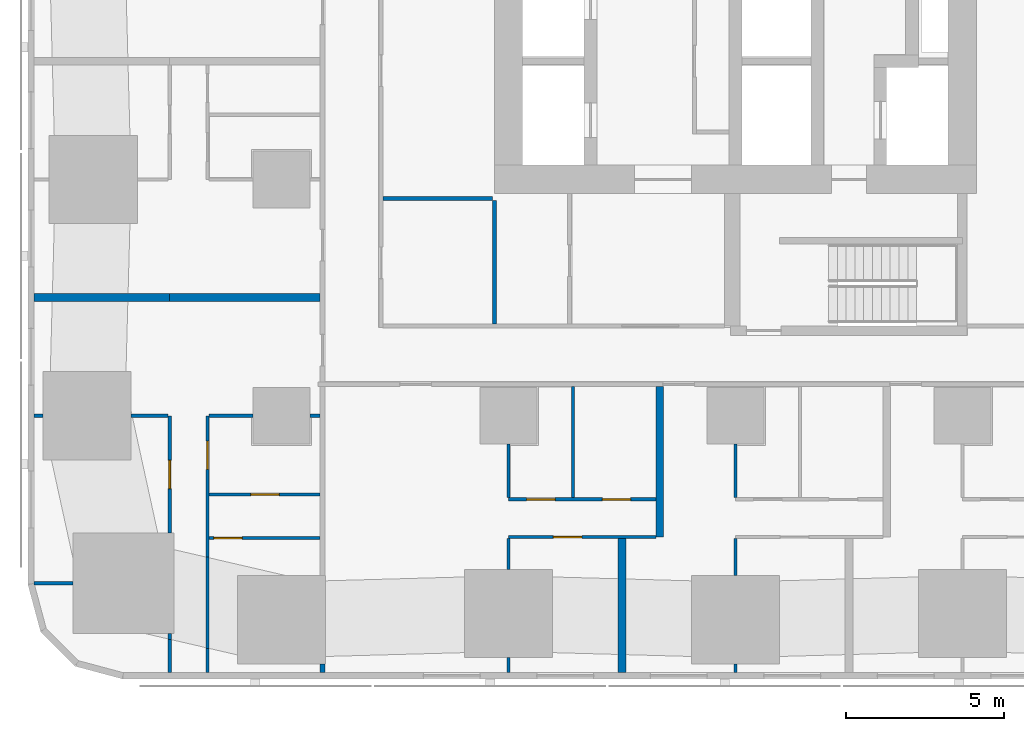
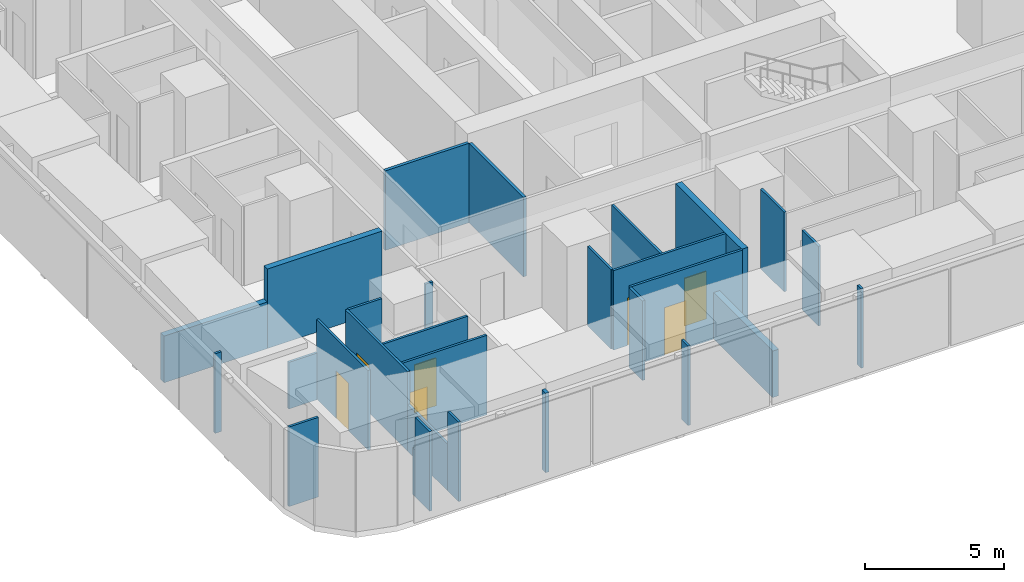
# One storey, part 2 of 15: 29 walls, 7 doors, 7 openings.
"""IFC4 building model written with IfcOpenShell, lengths in metres."""

from ifc_helpers import new_model, si_unit, direction, frame, frame_2d, origin, place, context, subcontext, project, spatial, rectangle, extrude, material, layer, layer_set, type_object, element, fill, save


model = new_model("IFC4")

# Units and contexts
model_context = context("Model", 3, precision=1e-05, world=origin(), true_north=direction((0.0, 1.0)))
body_context = subcontext(model_context, "Body", "Model", "MODEL_VIEW")
ifc_project = project(units=[si_unit("LENGTHUNIT", "METRE"), si_unit("AREAUNIT", "SQUARE_METRE"), si_unit("VOLUMEUNIT", "CUBIC_METRE"), si_unit("PLANEANGLEUNIT", "RADIAN"), si_unit("MASSUNIT", "GRAM", prefix="KILO")], contexts=[model_context])

# Site, building, storey
site_placement = place(None, origin())
site = spatial("IfcSite", under=ifc_project, at=site_placement, CompositionType="ELEMENT")
building_placement = place(site_placement, origin())
building = spatial("IfcBuilding", under=site, at=building_placement, Name="Sheger Commons Tower", CompositionType="ELEMENT")
storey_placement = place(building_placement, frame((0.0, 0.0, 65.0)))
storey = spatial("IfcBuildingStorey", under=building, at=storey_placement, Name="L16", CompositionType="ELEMENT", Elevation=65.0)

# Walls
ifc_material_1 = material(Name="Hollow concrete block masonry, skimmed both sides", Category="masonry")
ifc_layer_1 = layer(ifc_material_1, 0.14990234375)
ifc_layer_set_1 = layer_set([ifc_layer_1], Name="CORRIDOR WALL 150")
wall_type_1 = type_object("IfcWallType", Name="CORRIDOR WALL 150", PredefinedType="SOLIDWALL", material=ifc_layer_set_1)
wall_1_placement = place(storey_placement, frame((8.5, -0.64990234375, 0.0), z_axis=(0.0, 0.0, 1.0), x_axis=(0.0, 1.0, 0.0)))
element("IfcWall", 1, at=wall_1_placement, inside=storey, type_object=wall_type_1, Name="Corridor wall L16", PredefinedType="SOLIDWALL", context=body_context, shape_type="SweptSolid", body=[
    extrude(rectangle(XDim=0.27392578125, YDim=0.14990234375, at=frame_2d((0.136962890625, 0.0))), origin(), (0.0, 0.0, 1.0), 3.5),
])
ifc_material_2 = material(Name="Dense concrete block masonry, plastered both sides (separating wall between flats)", Category="masonry")
ifc_layer_2 = layer(ifc_material_2, 0.25)
ifc_layer_set_2 = layer_set([ifc_layer_2], Name="DEMISING WALL 250")
wall_type_2 = type_object("IfcWallType", Name="DEMISING WALL 250", PredefinedType="SOLIDWALL", material=ifc_layer_set_2)
wall_2_placement = place(storey_placement, frame((-0.64990234375, 11.25, 0.0), z_axis=(0.0, 0.0, 1.0), x_axis=(1.0, 0.0, 0.0)))
element("IfcWall", 2, at=wall_2_placement, inside=storey, type_object=wall_type_2, Name="Demising wall L16", PredefinedType="SOLIDWALL", context=body_context, shape_type="SweptSolid", body=[
    extrude(rectangle(XDim=4.2998046875, YDim=0.25, at=frame_2d((2.14990234375, 0.0))), origin(), (0.0, 0.0, 1.0), 2.050048828125),
])
wall_3_placement = place(storey_placement, frame((3.64990234375, 11.25, 0.0), z_axis=(0.0, 0.0, 1.0), x_axis=(1.0, 0.0, 0.0)))
element("IfcWall", 3, at=wall_3_placement, inside=storey, type_object=wall_type_2, Name="Demising wall L16", PredefinedType="SOLIDWALL", context=body_context, shape_type="SweptSolid", body=[
    extrude(rectangle(XDim=4.775146484375, YDim=0.25, at=frame_2d((2.3876953125, 0.0))), origin(), (0.0, 0.0, 1.0), 3.5),
])
wall_4_placement = place(storey_placement, frame((18.0, -0.64990234375, 0.0), z_axis=(0.0, 0.0, 1.0), x_axis=(0.0, 1.0, 0.0)))
element("IfcWall", 4, at=wall_4_placement, inside=storey, type_object=wall_type_2, Name="Demising wall L16", PredefinedType="SOLIDWALL", context=body_context, shape_type="SweptSolid", body=[
    extrude(rectangle(XDim=4.25, YDim=0.25, at=frame_2d((2.125, 0.0))), origin(), (0.0, 0.0, 1.0), 2.050048828125),
])
wall_5_placement = place(storey_placement, frame((19.198974609375, 3.64990234375, 0.0), z_axis=(0.0, 0.0, 1.0), x_axis=(0.0, 1.0, 0.0)))
element("IfcWall", 5, at=wall_5_placement, inside=storey, type_object=wall_type_2, Name="Demising wall L16", PredefinedType="SOLIDWALL", context=body_context, shape_type="SweptSolid", body=[
    extrude(rectangle(XDim=4.775146484375, YDim=0.25, at=frame_2d((2.3876953125, 0.0))), origin(), (0.0, 0.0, 1.0), 3.5),
])
ifc_material_3 = material(Name="Gypsum board on steel studs", Category="steel")
ifc_layer_3 = layer(ifc_material_3, 0.10009765625)
ifc_layer_set_3 = layer_set([ifc_layer_3], Name="PARTITION 100")
wall_type_3 = type_object("IfcWallType", Name="PARTITION 100", PredefinedType="PARTITIONING", material=ifc_layer_set_3)
wall_6_placement = place(storey_placement, frame((3.64990234375, -0.64990234375, 0.0), z_axis=(0.0, 0.0, 1.0), x_axis=(0.0, 1.0, 0.0)))
element("IfcWall", 6, at=wall_6_placement, inside=storey, type_object=wall_type_3, Name="Partition L16", PredefinedType="PARTITIONING", context=body_context, shape_type="SweptSolid", body=[
    extrude(rectangle(XDim=1.0478515625, YDim=0.10009765625, at=frame_2d((0.52392578125, 0.0))), origin(), (0.0, 0.0, 1.0), 3.5),
])
wall_7_placement = place(storey_placement, frame((3.64990234375, 0.39794921875, 0.0), z_axis=(0.0, 0.0, 1.0), x_axis=(0.0, 1.0, 0.0)))
element("IfcWall", 7, at=wall_7_placement, inside=storey, type_object=wall_type_3, Name="Partition L16", PredefinedType="PARTITIONING", context=body_context, shape_type="SweptSolid", body=[
    extrude(rectangle(XDim=0.18701171875, YDim=0.10009765625, at=frame_2d((0.093505859375, 0.0))), origin(), (0.0, 0.0, 1.0), 2.050048828125),
])

# Wall, opening, door
wall_8_placement = place(storey_placement, frame((3.64990234375, 3.787109375, 0.0), z_axis=(0.0, 0.0, 1.0), x_axis=(0.0, 1.0, 0.0)))
wall_8 = element("IfcWall", 8, at=wall_8_placement, inside=storey, type_object=wall_type_3, Name="Partition L16", PredefinedType="PARTITIONING", context=body_context, shape_type="SweptSolid", body=[
    extrude(rectangle(XDim=3.712890625, YDim=0.10009765625, at=frame_2d((1.8564453125, 0.0))), origin(), (0.0, 0.0, 1.0), 3.5),
])
opening_1_placement = place(wall_8_placement, frame((1.39990234375, 0.0, 0.0)))
opening_1 = element("IfcOpeningElement", 9, at=opening_1_placement, cuts=wall_8, Name="Opening D2", PredefinedType="OPENING", context=body_context, shape_type="SweptSolid", body=[
    extrude(rectangle(XDim=0.89990234375, YDim=2.10009765625, at=frame_2d((0.449951171875, 1.050048828125))), frame((0.0, 0.06005859375, 0.0), z_axis=(0.0, -1.0, 0.0), x_axis=(1.0, 0.0, 0.0)), (0.0, 0.0, 1.0), 0.1201171875),
])
ifc_material_4 = material(Name="Timber door set", Category="wood")
door_type = type_object("IfcDoorType", Name="INTERNAL DOOR 900x2100", OperationType="NOTDEFINED", PredefinedType="DOOR", material=ifc_material_4)
door_1_placement = place(opening_1_placement, origin())
door_1 = element("IfcDoor", 10, at=door_1_placement, inside=storey, type_object=door_type, Name="Main bedroom door", OperationType="SINGLE_SWING_LEFT", OverallHeight=2.10009765625, OverallWidth=0.89990234375, PredefinedType="DOOR", context=body_context, shape_type="SweptSolid", body=[
    extrude(rectangle(XDim=0.89990234375, YDim=2.10009765625, at=frame_2d((0.449951171875, 1.050048828125))), frame((0.0, 0.02490234375, 0.0), z_axis=(0.0, -1.0, 0.0), x_axis=(1.0, 0.0, 0.0)), (0.0, 0.0, 1.0), 0.050048828125),
])
fill(opening_1, door_1)

# Walls
wall_9_placement = place(storey_placement, frame((4.85009765625, -0.64990234375, 0.0), z_axis=(0.0, 0.0, 1.0), x_axis=(0.0, 1.0, 0.0)))
element("IfcWall", 11, at=wall_9_placement, inside=storey, type_object=wall_type_3, Name="Partition L16", PredefinedType="PARTITIONING", context=body_context, shape_type="SweptSolid", body=[
    extrude(rectangle(XDim=0.77099609375, YDim=0.10009765625, at=frame_2d((0.385498046875, 0.0))), origin(), (0.0, 0.0, 1.0), 3.5),
])
wall_10_placement = place(storey_placement, frame((4.85009765625, 0.12109375, 0.0), z_axis=(0.0, 0.0, 1.0), x_axis=(0.0, 1.0, 0.0)))
element("IfcWall", 12, at=wall_10_placement, inside=storey, type_object=wall_type_3, Name="Partition L16", PredefinedType="PARTITIONING", context=body_context, shape_type="SweptSolid", body=[
    extrude(rectangle(XDim=2.89697265625, YDim=0.10009765625, at=frame_2d((1.448486328125, 0.0))), origin(), (0.0, 0.0, 1.0), 2.050048828125),
])

# Wall, opening, door
wall_11_placement = place(storey_placement, frame((4.85009765625, 3.01806640625, 0.0), z_axis=(0.0, 0.0, 1.0), x_axis=(0.0, 1.0, 0.0)))
wall_11 = element("IfcWall", 13, at=wall_11_placement, inside=storey, type_object=wall_type_3, Name="Partition L16", PredefinedType="PARTITIONING", context=body_context, shape_type="SweptSolid", body=[
    extrude(rectangle(XDim=4.48193359375, YDim=0.10009765625, at=frame_2d((2.240966796875, 0.0))), origin(), (0.0, 0.0, 1.0), 3.5),
])
opening_2_placement = place(wall_11_placement, frame((2.781005859375, 0.0, 0.0)))
opening_2 = element("IfcOpeningElement", 14, at=opening_2_placement, cuts=wall_11, Name="Opening D2", PredefinedType="OPENING", context=body_context, shape_type="SweptSolid", body=[
    extrude(rectangle(XDim=0.89990234375, YDim=2.10009765625, at=frame_2d((0.449951171875, 1.050048828125))), frame((0.0, 0.06005859375, 0.0), z_axis=(0.0, -1.0, 0.0), x_axis=(1.0, 0.0, 0.0)), (0.0, 0.0, 1.0), 0.1201171875),
])
door_2_placement = place(opening_2_placement, origin())
door_2 = element("IfcDoor", 15, at=door_2_placement, inside=storey, type_object=door_type, Name="Bathroom door", OperationType="SINGLE_SWING_LEFT", OverallHeight=2.10009765625, OverallWidth=0.89990234375, PredefinedType="DOOR", context=body_context, shape_type="SweptSolid", body=[
    extrude(rectangle(XDim=0.89990234375, YDim=2.10009765625, at=frame_2d((0.449951171875, 1.050048828125))), frame((0.0, 0.02490234375, 0.0), z_axis=(0.0, -1.0, 0.0), x_axis=(1.0, 0.0, 0.0)), (0.0, 0.0, 1.0), 0.050048828125),
])
fill(opening_2, door_2)

# Walls
wall_12_placement = place(storey_placement, frame((-0.64990234375, 2.18603515625, 0.0), z_axis=(0.0, 0.0, 1.0), x_axis=(1.0, 0.0, 0.0)))
element("IfcWall", 16, at=wall_12_placement, inside=storey, type_object=wall_type_3, Name="Partition L16", PredefinedType="PARTITIONING", context=body_context, shape_type="SweptSolid", body=[
    extrude(rectangle(XDim=1.23486328125, YDim=0.10009765625, at=frame_2d((0.617431640625, 0.0))), origin(), (0.0, 0.0, 1.0), 3.5),
])
wall_13_placement = place(storey_placement, frame((-0.64990234375, 7.5, 0.0), z_axis=(0.0, 0.0, 1.0), x_axis=(1.0, 0.0, 0.0)))
element("IfcWall", 17, at=wall_13_placement, inside=storey, type_object=wall_type_3, Name="Partition L16", PredefinedType="PARTITIONING", context=body_context, shape_type="SweptSolid", body=[
    extrude(rectangle(XDim=0.27392578125, YDim=0.10009765625, at=frame_2d((0.136962890625, 0.0))), origin(), (0.0, 0.0, 1.0), 3.5),
])
wall_14_placement = place(storey_placement, frame((2.426025390625, 7.5, 0.0), z_axis=(0.0, 0.0, 1.0), x_axis=(1.0, 0.0, 0.0)))
element("IfcWall", 18, at=wall_14_placement, inside=storey, type_object=wall_type_3, Name="Partition L16", PredefinedType="PARTITIONING", context=body_context, shape_type="SweptSolid", body=[
    extrude(rectangle(XDim=1.174072265625, YDim=0.10009765625, at=frame_2d((0.5869140625, 0.0))), origin(), (0.0, 0.0, 1.0), 2.050048828125),
])

# Wall, opening, door
wall_15_placement = place(storey_placement, frame((4.89990234375, 4.9990234375, 0.0), z_axis=(0.0, 0.0, 1.0), x_axis=(1.0, 0.0, 0.0)))
wall_15 = element("IfcWall", 19, at=wall_15_placement, inside=storey, type_object=wall_type_3, Name="Partition L16", PredefinedType="PARTITIONING", context=body_context, shape_type="SweptSolid", body=[
    extrude(rectangle(XDim=3.525146484375, YDim=0.10009765625, at=frame_2d((1.7626953125, 0.0))), origin(), (0.0, 0.0, 1.0), 3.5),
])
opening_3_placement = place(wall_15_placement, frame((1.324951171875, 0.0, 0.0)))
opening_3 = element("IfcOpeningElement", 20, at=opening_3_placement, cuts=wall_15, Name="Opening D2", PredefinedType="OPENING", context=body_context, shape_type="SweptSolid", body=[
    extrude(rectangle(XDim=0.89990234375, YDim=2.10009765625, at=frame_2d((0.449951171875, 1.050048828125))), frame((0.0, 0.06005859375, 0.0), z_axis=(0.0, -1.0, 0.0), x_axis=(1.0, 0.0, 0.0)), (0.0, 0.0, 1.0), 0.1201171875),
])
door_3_placement = place(opening_3_placement, origin())
door_3 = element("IfcDoor", 21, at=door_3_placement, inside=storey, type_object=door_type, Name="Store door", OperationType="SINGLE_SWING_LEFT", OverallHeight=2.10009765625, OverallWidth=0.89990234375, PredefinedType="DOOR", context=body_context, shape_type="SweptSolid", body=[
    extrude(rectangle(XDim=0.89990234375, YDim=2.10009765625, at=frame_2d((0.449951171875, 1.050048828125))), frame((0.0, 0.02490234375, 0.0), z_axis=(0.0, -1.0, 0.0), x_axis=(1.0, 0.0, 0.0)), (0.0, 0.0, 1.0), 0.050048828125),
])
fill(opening_3, door_3)

# Walls
wall_16_placement = place(storey_placement, frame((4.89990234375, 7.5, 0.0), z_axis=(0.0, 0.0, 1.0), x_axis=(1.0, 0.0, 0.0)))
element("IfcWall", 22, at=wall_16_placement, inside=storey, type_object=wall_type_3, Name="Partition L16", PredefinedType="PARTITIONING", context=body_context, shape_type="SweptSolid", body=[
    extrude(rectangle(XDim=1.399169921875, YDim=0.10009765625, at=frame_2d((0.69970703125, 0.0))), origin(), (0.0, 0.0, 1.0), 3.5),
])
wall_17_placement = place(storey_placement, frame((8.10107421875, 7.5, 0.0), z_axis=(0.0, 0.0, 1.0), x_axis=(1.0, 0.0, 0.0)))
element("IfcWall", 23, at=wall_17_placement, inside=storey, type_object=wall_type_3, Name="Partition L16", PredefinedType="PARTITIONING", context=body_context, shape_type="SweptSolid", body=[
    extrude(rectangle(XDim=0.323974609375, YDim=0.10009765625, at=frame_2d((0.162109375, 0.0))), origin(), (0.0, 0.0, 1.0), 3.5),
])

# Wall, opening, door
wall_18_placement = place(storey_placement, frame((19.073974609375, 3.64990234375, 0.0), z_axis=(0.0, 0.0, 1.0), x_axis=(-1.0, 0.0, 0.0)))
wall_18 = element("IfcWall", 24, at=wall_18_placement, inside=storey, type_object=wall_type_3, Name="Partition L16", PredefinedType="PARTITIONING", context=body_context, shape_type="SweptSolid", body=[
    extrude(rectangle(XDim=4.674072265625, YDim=0.10009765625, at=frame_2d((2.3369140625, 0.0))), origin(), (0.0, 0.0, 1.0), 3.5),
])
opening_4_placement = place(wall_18_placement, frame((2.35009765625, 0.0, 0.0)))
opening_4 = element("IfcOpeningElement", 25, at=opening_4_placement, cuts=wall_18, Name="Opening D2", PredefinedType="OPENING", context=body_context, shape_type="SweptSolid", body=[
    extrude(rectangle(XDim=0.89990234375, YDim=2.10009765625, at=frame_2d((0.449951171875, 1.050048828125))), frame((0.0, 0.06005859375, 0.0), z_axis=(0.0, -1.0, 0.0), x_axis=(1.0, 0.0, 0.0)), (0.0, 0.0, 1.0), 0.1201171875),
])
door_4_placement = place(opening_4_placement, origin())
door_4 = element("IfcDoor", 26, at=door_4_placement, inside=storey, type_object=door_type, Name="Main bedroom door", OperationType="SINGLE_SWING_RIGHT", OverallHeight=2.10009765625, OverallWidth=0.89990234375, PredefinedType="DOOR", context=body_context, shape_type="SweptSolid", body=[
    extrude(rectangle(XDim=0.89990234375, YDim=2.10009765625, at=frame_2d((0.449951171875, 1.050048828125))), frame((0.0, 0.02490234375, 0.0), z_axis=(0.0, -1.0, 0.0), x_axis=(1.0, 0.0, 0.0)), (0.0, 0.0, 1.0), 0.050048828125),
])
fill(opening_4, door_4)

# Wall, openings, doors
wall_19_placement = place(storey_placement, frame((19.073974609375, 4.85009765625, 0.0), z_axis=(0.0, 0.0, 1.0), x_axis=(-1.0, 0.0, 0.0)))
wall_19 = element("IfcWall", 27, at=wall_19_placement, inside=storey, type_object=wall_type_3, Name="Partition L16", PredefinedType="PARTITIONING", context=body_context, shape_type="SweptSolid", body=[
    extrude(rectangle(XDim=4.674072265625, YDim=0.10009765625, at=frame_2d((2.3369140625, 0.0))), origin(), (0.0, 0.0, 1.0), 3.5),
])
opening_5_placement = place(wall_19_placement, frame((3.198974609375, 0.0, 0.0)))
opening_5 = element("IfcOpeningElement", 28, at=opening_5_placement, cuts=wall_19, Name="Opening D2", PredefinedType="OPENING", context=body_context, shape_type="SweptSolid", body=[
    extrude(rectangle(XDim=0.89990234375, YDim=2.10009765625, at=frame_2d((0.449951171875, 1.050048828125))), frame((0.0, 0.06005859375, 0.0), z_axis=(0.0, -1.0, 0.0), x_axis=(1.0, 0.0, 0.0)), (0.0, 0.0, 1.0), 0.1201171875),
])
opening_6_placement = place(wall_19_placement, frame((0.799072265625, 0.0, 0.0)))
opening_6 = element("IfcOpeningElement", 29, at=opening_6_placement, cuts=wall_19, Name="Opening D2", PredefinedType="OPENING", context=body_context, shape_type="SweptSolid", body=[
    extrude(rectangle(XDim=0.89990234375, YDim=2.10009765625, at=frame_2d((0.449951171875, 1.050048828125))), frame((0.0, 0.06005859375, 0.0), z_axis=(0.0, -1.0, 0.0), x_axis=(1.0, 0.0, 0.0)), (0.0, 0.0, 1.0), 0.1201171875),
])
door_5_placement = place(opening_5_placement, origin())
door_5 = element("IfcDoor", 30, at=door_5_placement, inside=storey, type_object=door_type, Name="Bathroom door", OperationType="SINGLE_SWING_LEFT", OverallHeight=2.10009765625, OverallWidth=0.89990234375, PredefinedType="DOOR", context=body_context, shape_type="SweptSolid", body=[
    extrude(rectangle(XDim=0.89990234375, YDim=2.10009765625, at=frame_2d((0.449951171875, 1.050048828125))), frame((0.0, 0.02490234375, 0.0), z_axis=(0.0, -1.0, 0.0), x_axis=(1.0, 0.0, 0.0)), (0.0, 0.0, 1.0), 0.050048828125),
])
fill(opening_5, door_5)
door_6_placement = place(opening_6_placement, origin())
door_6 = element("IfcDoor", 31, at=door_6_placement, inside=storey, type_object=door_type, Name="Store door", OperationType="SINGLE_SWING_RIGHT", OverallHeight=2.10009765625, OverallWidth=0.89990234375, PredefinedType="DOOR", context=body_context, shape_type="SweptSolid", body=[
    extrude(rectangle(XDim=0.89990234375, YDim=2.10009765625, at=frame_2d((0.449951171875, 1.050048828125))), frame((0.0, 0.02490234375, 0.0), z_axis=(0.0, -1.0, 0.0), x_axis=(1.0, 0.0, 0.0)), (0.0, 0.0, 1.0), 0.050048828125),
])
fill(opening_6, door_6)

# Walls
wall_20_placement = place(storey_placement, frame((14.39990234375, -0.64990234375, 0.0), z_axis=(0.0, 0.0, 1.0), x_axis=(0.0, 1.0, 0.0)))
element("IfcWall", 32, at=wall_20_placement, inside=storey, type_object=wall_type_3, Name="Partition L16", PredefinedType="PARTITIONING", context=body_context, shape_type="SweptSolid", body=[
    extrude(rectangle(XDim=0.473876953125, YDim=0.10009765625, at=frame_2d((0.23681640625, 0.0))), origin(), (0.0, 0.0, 1.0), 3.5),
])
wall_21_placement = place(storey_placement, frame((14.39990234375, 2.6259765625, 0.0), z_axis=(0.0, 0.0, 1.0), x_axis=(0.0, 1.0, 0.0)))
element("IfcWall", 33, at=wall_21_placement, inside=storey, type_object=wall_type_3, Name="Partition L16", PredefinedType="PARTITIONING", context=body_context, shape_type="SweptSolid", body=[
    extrude(rectangle(XDim=0.97412109375, YDim=0.10009765625, at=frame_2d((0.487060546875, 0.0))), origin(), (0.0, 0.0, 1.0), 3.5),
])
wall_22_placement = place(storey_placement, frame((14.39990234375, 4.89990234375, 0.0), z_axis=(0.0, 0.0, 1.0), x_axis=(0.0, 1.0, 0.0)))
element("IfcWall", 34, at=wall_22_placement, inside=storey, type_object=wall_type_3, Name="Partition L16", PredefinedType="PARTITIONING", context=body_context, shape_type="SweptSolid", body=[
    extrude(rectangle(XDim=1.69921875, YDim=0.10009765625, at=frame_2d((0.849609375, 0.0))), origin(), (0.0, 0.0, 1.0), 3.5),
])
wall_23_placement = place(storey_placement, frame((16.449951171875, 4.89990234375, 0.0), z_axis=(0.0, 0.0, 1.0), x_axis=(0.0, 1.0, 0.0)))
element("IfcWall", 35, at=wall_23_placement, inside=storey, type_object=wall_type_3, Name="Partition L16", PredefinedType="PARTITIONING", context=body_context, shape_type="SweptSolid", body=[
    extrude(rectangle(XDim=3.525146484375, YDim=0.10009765625, at=frame_2d((1.7626953125, 0.0))), origin(), (0.0, 0.0, 1.0), 3.5),
])
wall_24_placement = place(storey_placement, frame((21.60009765625, -0.64990234375, 0.0), z_axis=(0.0, 0.0, 1.0), x_axis=(0.0, 1.0, 0.0)))
element("IfcWall", 36, at=wall_24_placement, inside=storey, type_object=wall_type_3, Name="Partition L16", PredefinedType="PARTITIONING", context=body_context, shape_type="SweptSolid", body=[
    extrude(rectangle(XDim=0.27392578125, YDim=0.10009765625, at=frame_2d((0.136962890625, 0.0))), origin(), (0.0, 0.0, 1.0), 3.5),
])
wall_25_placement = place(storey_placement, frame((21.60009765625, 2.426025390625, 0.0), z_axis=(0.0, 0.0, 1.0), x_axis=(0.0, 1.0, 0.0)))
element("IfcWall", 37, at=wall_25_placement, inside=storey, type_object=wall_type_3, Name="Partition L16", PredefinedType="PARTITIONING", context=body_context, shape_type="SweptSolid", body=[
    extrude(rectangle(XDim=1.174072265625, YDim=0.10009765625, at=frame_2d((0.5869140625, 0.0))), origin(), (0.0, 0.0, 1.0), 3.5),
])
wall_26_placement = place(storey_placement, frame((21.60009765625, 4.89990234375, 0.0), z_axis=(0.0, 0.0, 1.0), x_axis=(0.0, 1.0, 0.0)))
element("IfcWall", 38, at=wall_26_placement, inside=storey, type_object=wall_type_3, Name="Partition L16", PredefinedType="PARTITIONING", context=body_context, shape_type="SweptSolid", body=[
    extrude(rectangle(XDim=1.69921875, YDim=0.10009765625, at=frame_2d((0.849609375, 0.0))), origin(), (0.0, 0.0, 1.0), 3.5),
])

# Wall, opening, door
wall_27_placement = place(storey_placement, frame((4.89990234375, 3.618896484375, 0.0), z_axis=(0.0, 0.0, 1.0), x_axis=(1.0, 0.0, 0.0)))
wall_27 = element("IfcWall", 39, at=wall_27_placement, inside=storey, type_object=wall_type_3, Name="Partition L16", PredefinedType="PARTITIONING", context=body_context, shape_type="SweptSolid", body=[
    extrude(rectangle(XDim=3.525146484375, YDim=0.10009765625, at=frame_2d((1.7626953125, 0.0))), origin(), (0.0, 0.0, 1.0), 3.5),
])
opening_7_placement = place(wall_27_placement, frame((0.14990234375, 0.0, 0.0)))
opening_7 = element("IfcOpeningElement", 40, at=opening_7_placement, cuts=wall_27, Name="Opening D2", PredefinedType="OPENING", context=body_context, shape_type="SweptSolid", body=[
    extrude(rectangle(XDim=0.89990234375, YDim=2.10009765625, at=frame_2d((0.449951171875, 1.050048828125))), frame((0.0, 0.06005859375, 0.0), z_axis=(0.0, -1.0, 0.0), x_axis=(1.0, 0.0, 0.0)), (0.0, 0.0, 1.0), 0.1201171875),
])
door_7_placement = place(opening_7_placement, origin())
door_7 = element("IfcDoor", 41, at=door_7_placement, inside=storey, type_object=door_type, Name="Store door", OperationType="SINGLE_SWING_LEFT", OverallHeight=2.10009765625, OverallWidth=0.89990234375, PredefinedType="DOOR", context=body_context, shape_type="SweptSolid", body=[
    extrude(rectangle(XDim=0.89990234375, YDim=2.10009765625, at=frame_2d((0.449951171875, 1.050048828125))), frame((0.0, 0.02490234375, 0.0), z_axis=(0.0, -1.0, 0.0), x_axis=(1.0, 0.0, 0.0)), (0.0, 0.0, 1.0), 0.050048828125),
])
fill(opening_7, door_7)

# Walls
ifc_material_5 = material(Name="Gypsum board on steel studs, two layers each side, fire rated", Category="steel")
ifc_layer_4 = layer(ifc_material_5, 0.125)
ifc_layer_set_4 = layer_set([ifc_layer_4], Name="SERVICE WALL 125")
wall_type_4 = type_object("IfcWallType", Name="SERVICE WALL 125", PredefinedType="PARTITIONING", material=ifc_layer_set_4)
wall_28_placement = place(storey_placement, frame((10.4130859375, 14.39990234375, 0.0), z_axis=(0.0, 0.0, 1.0), x_axis=(1.0, 0.0, 0.0)))
element("IfcWall", 42, at=wall_28_placement, inside=storey, type_object=wall_type_4, Name="Service room wall L16", PredefinedType="PARTITIONING", context=body_context, shape_type="SweptSolid", body=[
    extrude(rectangle(XDim=3.474853515625, YDim=0.125, at=frame_2d((1.7373046875, 0.0))), origin(), (0.0, 0.0, 1.0), 3.5),
])
wall_29_placement = place(storey_placement, frame((13.949951171875, 10.4130859375, 0.0), z_axis=(0.0, 0.0, 1.0), x_axis=(0.0, 1.0, 0.0)))
element("IfcWall", 43, at=wall_29_placement, inside=storey, type_object=wall_type_4, Name="Service room wall L16", PredefinedType="PARTITIONING", context=body_context, shape_type="SweptSolid", body=[
    extrude(rectangle(XDim=3.9248046875, YDim=0.125, at=frame_2d((1.96240234375, 0.0))), origin(), (0.0, 0.0, 1.0), 3.5),
])

save(model, "model.ifc")
